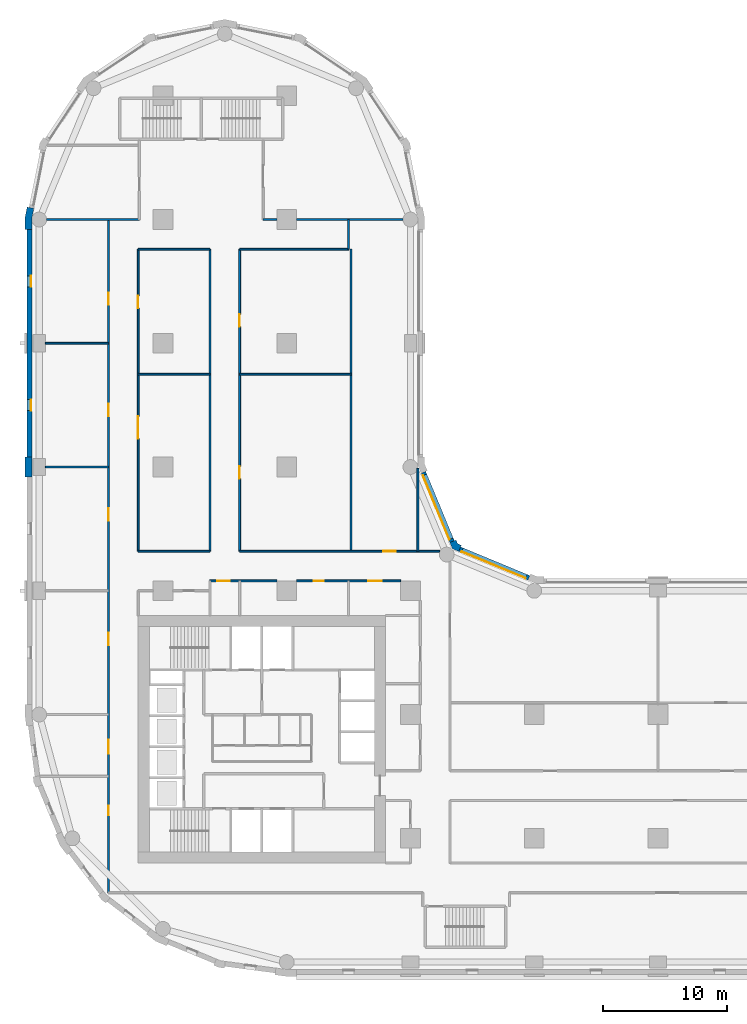
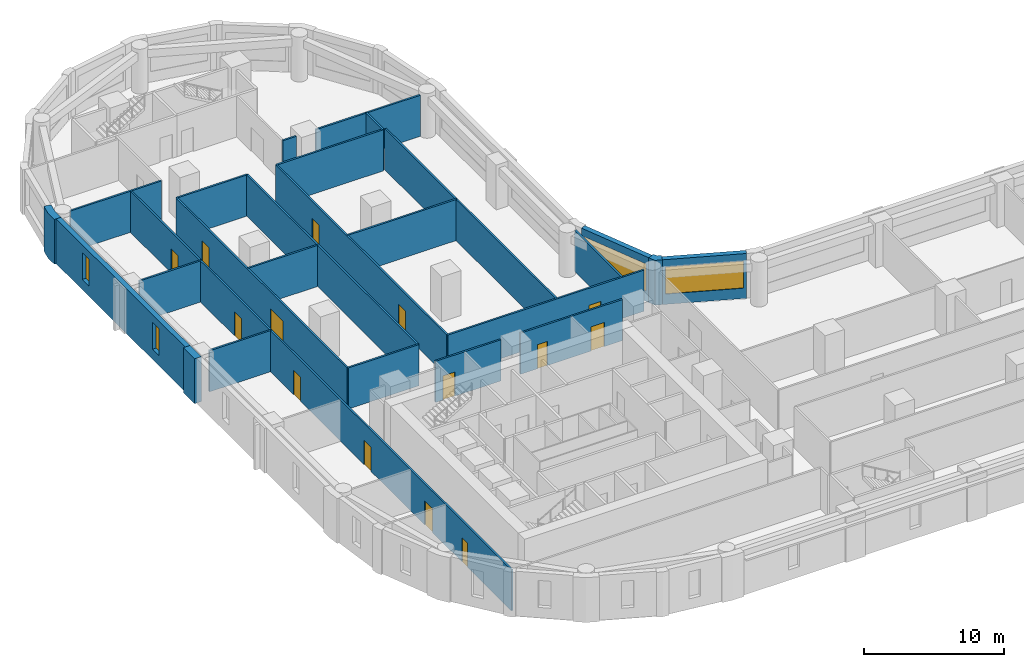
# One storey, part 5 of 10: 26 walls, 14 doors, 4 windows, 18 openings.
"""IFC4 building model written with IfcOpenShell, lengths in metres."""

import ifcopenshell
import ifcopenshell.guid

model = None  # the IFC model being written
_history = None  # IfcOwnerHistory: only IFC2X3 demands one
_inside = {}  # id of a spatial element -> (the spatial element, [elements in it])
_under = {}  # id of a project, library or spatial element -> (it, [spatial elements below it])
_declared = {}  # id of a project -> (the project, [libraries it declares])
_typed = {}  # id of a type object -> (the type object, [elements of that type])
_made_of = {}  # id of a material, layer set ... -> (it, [elements and type objects made of it])


def new_model(schema):
    """Start an empty IFC model of exactly this schema.

    Asked for "IFC4X3", IfcOpenShell would pick the latest addendum, in which some entities
    have other attributes; the version numbers below select the first issue.
    IFC2X3 requires an IfcOwnerHistory on every rooted entity: one is made here for all.
    """
    global model, _history
    if schema == "IFC4X3":
        model = ifcopenshell.file(schema_version=(4, 3, 0, 0))
    else:
        model = ifcopenshell.file(schema=schema)
    _inside.clear()
    _under.clear()
    _declared.clear()
    _typed.clear()
    _made_of.clear()
    _history = None
    if model.schema == "IFC2X3":
        org = make("IfcOrganization", Name="unknown")
        user = make(
            "IfcPersonAndOrganization",
            ThePerson=make("IfcPerson", FamilyName="unknown"),
            TheOrganization=org,
        )
        app = make(
            "IfcApplication",
            ApplicationDeveloper=org,
            Version="unknown",
            ApplicationFullName="unknown",
            ApplicationIdentifier="unknown",
        )
        _history = make(
            "IfcOwnerHistory",
            OwningUser=user,
            OwningApplication=app,
            ChangeAction="ADDED",
            CreationDate=0,
        )
    return model


def make(cls, **values):
    """One entity of the class cls with the attributes given. An attribute that is None is left unset."""
    return model.create_entity(
        cls, **{name: value for name, value in values.items() if value is not None}
    )


def rooted(cls, **values):
    """An entity with a GlobalId (a new one), such as an element, a storey or a relation."""
    return make(cls, GlobalId=ifcopenshell.guid.new(), OwnerHistory=_history, **values)


def si_unit(unit_type, name, prefix=None):
    """IfcSIUnit, for example si_unit("LENGTHUNIT", "METRE", prefix="MILLI")."""
    return make("IfcSIUnit", UnitType=unit_type, Prefix=prefix, Name=name)


def assignment(units):
    """IfcUnitAssignment: the units of a project."""
    return None if units is None else make("IfcUnitAssignment", Units=units)


def point(xyz):
    """IfcCartesianPoint."""
    return None if xyz is None else make("IfcCartesianPoint", Coordinates=xyz)


def direction(xyz):
    """IfcDirection."""
    return None if xyz is None else make("IfcDirection", DirectionRatios=xyz)


def frame(location, z_axis=None, x_axis=None):
    """IfcAxis2Placement3D, a coordinate frame: its origin and axes. An axis left out is left unset."""
    return make(
        "IfcAxis2Placement3D",
        Location=point(location),
        Axis=direction(z_axis),
        RefDirection=direction(x_axis),
    )


def frame_2d(location, x_axis=None):
    """IfcAxis2Placement2D, a coordinate frame in the plane: its origin and x axis."""
    return make(
        "IfcAxis2Placement2D", Location=point(location), RefDirection=direction(x_axis)
    )


def origin():
    """The frame at (0, 0, 0) with its axes left unset."""
    return frame((0.0, 0.0, 0.0))


def place(relative_to, where):
    """IfcLocalPlacement: puts the frame where relative to a parent placement (None: the world)."""
    return make(
        "IfcLocalPlacement", PlacementRelTo=relative_to, RelativePlacement=where
    )


def context(
    kind, dimensions, precision=None, world=None, true_north=None, identifier=None
):
    """IfcGeometricRepresentationContext, for example the 3D "Model" context."""
    return make(
        "IfcGeometricRepresentationContext",
        ContextIdentifier=identifier,
        ContextType=kind,
        CoordinateSpaceDimension=dimensions,
        Precision=precision,
        WorldCoordinateSystem=world,
        TrueNorth=true_north,
    )


def subcontext(parent, identifier, kind, view, scale=None):
    """IfcGeometricRepresentationSubContext, for example "Body" below "Model"."""
    return make(
        "IfcGeometricRepresentationSubContext",
        ContextIdentifier=identifier,
        ContextType=kind,
        ParentContext=parent,
        TargetScale=scale,
        TargetView=view,
    )


def project(units=None, contexts=None):
    """IfcProject with its units and contexts."""
    return rooted(
        "IfcProject",
        Name="project",
        RepresentationContexts=contexts,
        UnitsInContext=assignment(units),
    )


def spatial(cls, under=None, at=None, **own):
    """A site, building, storey or space (cls), placed at a placement, below another one or the project."""
    s = rooted(cls, ObjectPlacement=at, **own)
    if under is not None:
        _under.setdefault(under.id(), (under, []))[1].append(s)
    return s


def polyline(points):
    """IfcPolyline through the points."""
    return make("IfcPolyline", Points=[point(p) for p in points])


def profile(cls, at=None, kind="AREA", **sizes):
    """A parametric profile (cls). Its sizes go by their IFC names, for example OverallWidth=200.0."""
    return make(cls, ProfileType=kind, Position=at, **sizes)


def rectangle(**sizes):
    """IfcRectangleProfileDef."""
    return profile("IfcRectangleProfileDef", **sizes)


def outline(outer, holes=None, kind="AREA"):
    """IfcArbitraryClosedProfileDef: a profile drawn as a closed curve; with holes, ...WithVoids."""
    if holes is None:
        return make("IfcArbitraryClosedProfileDef", ProfileType=kind, OuterCurve=outer)
    return make(
        "IfcArbitraryProfileDefWithVoids",
        ProfileType=kind,
        OuterCurve=outer,
        InnerCurves=holes,
    )


def extrude(swept, where, along, depth):
    """IfcExtrudedAreaSolid: the profile swept, set in the frame where, extruded along a direction by depth."""
    return make(
        "IfcExtrudedAreaSolid",
        SweptArea=swept,
        Position=where,
        ExtrudedDirection=direction(along),
        Depth=depth,
    )


def shape(context_of_items, identifier, shape_type, items):
    """IfcShapeRepresentation: the items that make up one representation, for example the "Body"."""
    return make(
        "IfcShapeRepresentation",
        ContextOfItems=context_of_items,
        RepresentationIdentifier=identifier,
        RepresentationType=shape_type,
        Items=items,
    )


def material(Name=None, Category=None):
    """IfcMaterial."""
    return make("IfcMaterial", Name=Name, Category=Category)


def layer(
    of_material, thickness, ventilated=None, Name=None, Category=None, Priority=None
):
    """IfcMaterialLayer: one layer of a wall or slab, of a material (None: an air gap)."""
    return make(
        "IfcMaterialLayer",
        Material=of_material,
        LayerThickness=thickness,
        IsVentilated=ventilated,
        Name=Name,
        Category=Category,
        Priority=Priority,
    )


def layer_set(layers, Name=None):
    """IfcMaterialLayerSet."""
    return make("IfcMaterialLayerSet", MaterialLayers=layers, LayerSetName=Name)


def made_of(thing, what):
    """Note that an element or type object is made of a material, layer set ...; save() writes the relation."""
    if what is not None:
        _made_of.setdefault(what.id(), (what, []))[1].append(thing)
    return thing


def type_object(cls, material=None, **own):
    """A type object (cls), such as IfcWallType, which elements share."""
    return made_of(rooted(cls, **own), material)


def element(
    cls,
    number,
    at=None,
    inside=None,
    cuts=None,
    type_object=None,
    material=None,
    context=None,
    identifier="Body",
    shape_type=None,
    held_by="IfcProductDefinitionShape",
    body=None,
    shapes=None,
    **own,
):
    """One element of the class cls, such as IfcWall. Its Tag is "e" and its number.

    at: its placement. inside: the storey or other place that contains it. cuts: it is an
    opening in that element (IfcRelVoidsElement). A single representation is given by context,
    identifier, shape_type and body (its items); several are given by shapes. held_by: the class
    of the entity that holds the representations. save() writes the other relations.
    """
    e = rooted(cls, Tag="e%d" % number, ObjectPlacement=at, **own)
    if body is not None:
        shapes = [shape(context, identifier, shape_type, body)]
    if shapes is not None:
        e.Representation = make(held_by, Representations=shapes)
    if inside is not None:
        _inside.setdefault(inside.id(), (inside, []))[1].append(e)
    if cuts is not None:
        rooted(
            "IfcRelVoidsElement", RelatingBuildingElement=cuts, RelatedOpeningElement=e
        )
    if type_object is not None:
        _typed.setdefault(type_object.id(), (type_object, []))[1].append(e)
    return made_of(e, material)


def fill(opening, filler):
    """IfcRelFillsElement: the door or window that sits in an opening."""
    return rooted(
        "IfcRelFillsElement",
        RelatingOpeningElement=opening,
        RelatedBuildingElement=filler,
    )


def aggregate(whole, parts):
    """IfcRelAggregates: a whole, such as a stair, and the parts it consists of."""
    return rooted("IfcRelAggregates", RelatingObject=whole, RelatedObjects=parts)


def save(model, path):
    """Write the relations noted so far, then the file.

    IfcRelAggregates (storeys below a building ...), IfcRelContainedInSpatialStructure (elements
    in a storey), IfcRelDefinesByType, IfcRelAssociatesMaterial and IfcRelDeclares: one each for
    every whole, place, type object, material and project.
    """
    for whole, parts in _under.values():
        aggregate(whole, parts)
    for where, things in _inside.values():
        rooted(
            "IfcRelContainedInSpatialStructure",
            RelatedElements=things,
            RelatingStructure=where,
        )
    for kind, things in _typed.values():
        rooted("IfcRelDefinesByType", RelatedObjects=things, RelatingType=kind)
    for what, things in _made_of.values():
        rooted("IfcRelAssociatesMaterial", RelatedObjects=things, RelatingMaterial=what)
    for by, libraries in _declared.values():
        rooted("IfcRelDeclares", RelatingContext=by, RelatedDefinitions=libraries)
    model.write(path)


model = new_model("IFC4")

# Units and contexts
model_context = context("Model", 3, precision=1e-05, world=origin(), true_north=direction((0.0, 1.0)))
body_context = subcontext(model_context, "Body", "Model", "MODEL_VIEW")
ifc_project = project(units=[si_unit("LENGTHUNIT", "METRE"), si_unit("AREAUNIT", "SQUARE_METRE"), si_unit("VOLUMEUNIT", "CUBIC_METRE"), si_unit("PLANEANGLEUNIT", "RADIAN"), si_unit("MASSUNIT", "GRAM", prefix="KILO")], contexts=[model_context])

# Site, building, storey
site_placement = place(None, origin())
site = spatial("IfcSite", under=ifc_project, at=site_placement, CompositionType="ELEMENT")
building_placement = place(site_placement, origin())
building = spatial("IfcBuilding", under=site, at=building_placement, Name="Qaws Garden Tower", CompositionType="ELEMENT")
storey_placement = place(building_placement, frame((0.0, 0.0, 15.89990234375)))
storey = spatial("IfcBuildingStorey", under=building, at=storey_placement, Name="L03", CompositionType="ELEMENT", Elevation=15.89990234375)

# Wall, opening, window
ifc_material_1 = material(Name="Clay facing brick masonry", Category="masonry")
ifc_layer_1 = layer(ifc_material_1, 0.39990234375)
ifc_layer_set_1 = layer_set([ifc_layer_1], Name="Clay facing brick masonry")
wall_type_1 = type_object("IfcWallType", Name="Brick infill wall 400", PredefinedType="SOLIDWALL", material=ifc_layer_set_1)
wall_1_placement = place(storey_placement, frame((39.56689453125, 31.04541015625, 0.0), z_axis=(0.0, 0.0, 1.0), x_axis=(-0.923891000409, 0.382655745237, 0.0)))
wall_1 = element("IfcWall", 1, at=wall_1_placement, inside=storey, type_object=wall_type_1, Name="E-L03-infill-11", PredefinedType="SOLIDWALL", context=body_context, shape_type="SweptSolid", body=[
    extrude(rectangle(XDim=6.053466796875, YDim=0.39990234375, at=frame_2d((3.02685546875, 0.0))), origin(), (0.0, 0.0, 1.0), 3.900146484375),
])
opening_1_placement = place(wall_1_placement, frame((0.226806640625, 0.0, 0.89990234375)))
opening_1 = element("IfcOpeningElement", 2, at=opening_1_placement, cuts=wall_1, Name="Opening W04", PredefinedType="OPENING", context=body_context, shape_type="SweptSolid", body=[
    extrude(rectangle(XDim=5.60009765625, YDim=2.35009765625, at=frame_2d((2.800048828125, 1.175048828125))), frame((0.0, 0.2099609375, 0.0), z_axis=(0.0, -1.0, 0.0), x_axis=(1.0, 0.0, 0.0)), (0.0, 0.0, 1.0), 0.419921875),
])
ifc_material_2 = material(Name="Aluminium framed window, clear glazing", Category="aluminium")
window_type_1 = type_object("IfcWindowType", Name="Ribbon window 5600 x 2350", PartitioningType="DOUBLE_PANEL_VERTICAL", PredefinedType="WINDOW", material=ifc_material_2)
window_1_placement = place(opening_1_placement, origin())
window_1 = element("IfcWindow", 3, at=window_1_placement, inside=storey, type_object=window_type_1, Name="E-L03-window-11-0", OverallHeight=2.35009765625, OverallWidth=5.60009765625, PartitioningType="SINGLE_PANEL", PredefinedType="WINDOW", context=body_context, shape_type="SweptSolid", body=[
    extrude(rectangle(XDim=5.60009765625, YDim=2.35009765625, at=frame_2d((2.800048828125, 1.175048828125))), frame((0.0, 0.159912109375, 0.0), z_axis=(0.0, -1.0, 0.0), x_axis=(1.0, 0.0, 0.0)), (0.0, 0.0, 1.0), 0.06005859375),
])
fill(opening_1, window_1)

wall_2_placement = place(storey_placement, frame((33.36181640625, 33.97412109375, 0.0), z_axis=(0.0, 0.0, 1.0), x_axis=(-0.382655745237, 0.923891000409, 0.0)))
wall_2 = element("IfcWall", 4, at=wall_2_placement, inside=storey, type_object=wall_type_1, Name="E-L03-infill-12", PredefinedType="SOLIDWALL", context=body_context, shape_type="SweptSolid", body=[
    extrude(rectangle(XDim=6.053466796875, YDim=0.39990234375, at=frame_2d((3.02685546875, 0.0))), origin(), (0.0, 0.0, 1.0), 3.900146484375),
])
opening_2_placement = place(wall_2_placement, frame((0.226806640625, 0.0, 0.89990234375)))
opening_2 = element("IfcOpeningElement", 5, at=opening_2_placement, cuts=wall_2, Name="Opening W04", PredefinedType="OPENING", context=body_context, shape_type="SweptSolid", body=[
    extrude(rectangle(XDim=5.60009765625, YDim=2.35009765625, at=frame_2d((2.800048828125, 1.175048828125))), frame((0.0, 0.2099609375, 0.0), z_axis=(0.0, -1.0, 0.0), x_axis=(1.0, 0.0, 0.0)), (0.0, 0.0, 1.0), 0.419921875),
])
window_2_placement = place(opening_2_placement, origin())
window_2 = element("IfcWindow", 6, at=window_2_placement, inside=storey, type_object=window_type_1, Name="E-L03-window-12-0", OverallHeight=2.35009765625, OverallWidth=5.60009765625, PartitioningType="SINGLE_PANEL", PredefinedType="WINDOW", context=body_context, shape_type="SweptSolid", body=[
    extrude(rectangle(XDim=5.60009765625, YDim=2.35009765625, at=frame_2d((2.800048828125, 1.175048828125))), frame((0.0, 0.159912109375, 0.0), z_axis=(0.0, -1.0, 0.0), x_axis=(1.0, 0.0, 0.0)), (0.0, 0.0, 1.0), 0.06005859375),
])
fill(opening_2, window_2)

# Wall, openings, windows
wall_3_placement = place(storey_placement, frame((-0.800048828125, 59.199951171875, 0.0), z_axis=(0.0, 0.0, 1.0), x_axis=(0.0, -1.0, 0.0)))
wall_3 = element("IfcWall", 7, at=wall_3_placement, inside=storey, type_object=wall_type_1, Name="E-L03-infill-23", PredefinedType="SOLIDWALL", context=body_context, shape_type="SweptSolid", body=[
    extrude(rectangle(XDim=18.39990234375, YDim=0.39990234375, at=frame_2d((9.199951171875, 0.0))), origin(), (0.0, 0.0, 1.0), 3.900146484375),
])
opening_3_placement = place(wall_3_placement, frame((3.75, 0.0, 0.89990234375)))
opening_3 = element("IfcOpeningElement", 8, at=opening_3_placement, cuts=wall_3, Name="Opening W09", PredefinedType="OPENING", context=body_context, shape_type="SweptSolid", body=[
    extrude(rectangle(XDim=0.89990234375, YDim=2.35009765625, at=frame_2d((0.449951171875, 1.175048828125))), frame((0.0, 0.2099609375, 0.0), z_axis=(0.0, -1.0, 0.0), x_axis=(1.0, 0.0, 0.0)), (0.0, 0.0, 1.0), 0.419921875),
])
opening_4_placement = place(wall_3_placement, frame((13.75, 0.0, 0.89990234375)))
opening_4 = element("IfcOpeningElement", 9, at=opening_4_placement, cuts=wall_3, Name="Opening W09", PredefinedType="OPENING", context=body_context, shape_type="SweptSolid", body=[
    extrude(rectangle(XDim=0.89990234375, YDim=2.35009765625, at=frame_2d((0.449951171875, 1.175048828125))), frame((0.0, 0.2099609375, 0.0), z_axis=(0.0, -1.0, 0.0), x_axis=(1.0, 0.0, 0.0)), (0.0, 0.0, 1.0), 0.419921875),
])
ifc_material_3 = material(Name="Aluminium framed window, clear glazing", Category="aluminium")
window_type_2 = type_object("IfcWindowType", Name="Slit window 900 x 2350", PartitioningType="SINGLE_PANEL", PredefinedType="WINDOW", material=ifc_material_3)
window_3_placement = place(opening_3_placement, origin())
window_3 = element("IfcWindow", 10, at=window_3_placement, inside=storey, type_object=window_type_2, Name="E-L03-window-23-0", OverallHeight=2.35009765625, OverallWidth=0.89990234375, PartitioningType="SINGLE_PANEL", PredefinedType="WINDOW", context=body_context, shape_type="SweptSolid", body=[
    extrude(rectangle(XDim=0.89990234375, YDim=2.35009765625, at=frame_2d((0.449951171875, 1.175048828125))), frame((0.0, 0.159912109375, 0.0), z_axis=(0.0, -1.0, 0.0), x_axis=(1.0, 0.0, 0.0)), (0.0, 0.0, 1.0), 0.06005859375),
])
fill(opening_3, window_3)
window_4_placement = place(opening_4_placement, origin())
window_4 = element("IfcWindow", 11, at=window_4_placement, inside=storey, type_object=window_type_2, Name="E-L03-window-24-0", OverallHeight=2.35009765625, OverallWidth=0.89990234375, PartitioningType="SINGLE_PANEL", PredefinedType="WINDOW", context=body_context, shape_type="SweptSolid", body=[
    extrude(rectangle(XDim=0.89990234375, YDim=2.35009765625, at=frame_2d((0.449951171875, 1.175048828125))), frame((0.0, 0.159912109375, 0.0), z_axis=(0.0, -1.0, 0.0), x_axis=(1.0, 0.0, 0.0)), (0.0, 0.0, 1.0), 0.06005859375),
])
fill(opening_4, window_4)

# Walls
ifc_material_4 = material(Name="Clay facing brick masonry", Category="masonry")
ifc_layer_2 = layer(ifc_material_4, 0.550048828125)
ifc_layer_set_2 = layer_set([ifc_layer_2], Name="Clay facing brick masonry")
wall_type_2 = type_object("IfcWallType", Name="Brick pier 550 x 1600", PredefinedType="SOLIDWALL", material=ifc_layer_set_2)
placement = place(storey_placement, origin())
element("IfcWall", 12, at=placement, inside=storey, type_object=wall_type_2, Name="E-L03-pier-12", PredefinedType="SOLIDWALL", context=body_context, shape_type="SweptSolid", body=[
    extrude(outline(polyline([(34.05078125, 33.546630859375), (34.108154296875, 33.685302734375), (33.80908203125, 33.80908203125), (33.685302734375, 34.108154296875), (33.546630859375, 34.05078125), (33.177001953125, 33.897705078125), (33.38818359375, 33.38818359375), (33.897705078125, 33.177001953125), (34.05078125, 33.546630859375)])), origin(), (0.0, 0.0, 1.0), 3.900146484375),
])
element("IfcWall", 13, at=placement, inside=storey, type_object=wall_type_2, Name="E-L03-pier-23", PredefinedType="SOLIDWALL", context=body_context, shape_type="SweptSolid", body=[
    extrude(outline(polyline([(-0.82470703125, 60.979736328125), (-0.971923828125, 61.009033203125), (-1.14990234375, 60.11328125), (-1.14990234375, 59.199951171875), (-1.0, 59.199951171875), (-0.60009765625, 59.199951171875), (-0.60009765625, 60.05908203125), (-0.432373046875, 60.901611328125), (-0.82470703125, 60.979736328125)])), origin(), (0.0, 0.0, 1.0), 3.900146484375),
])
element("IfcWall", 14, at=placement, inside=storey, type_object=wall_type_2, Name="E-L03-pier-25", PredefinedType="SOLIDWALL", context=body_context, shape_type="SweptSolid", body=[
    extrude(outline(polyline([(-1.0, 40.800048828125), (-1.14990234375, 40.800048828125), (-1.14990234375, 40.0), (-1.14990234375, 39.199951171875), (-1.0, 39.199951171875), (-0.60009765625, 39.199951171875), (-0.60009765625, 40.0), (-0.60009765625, 40.800048828125), (-1.0, 40.800048828125)])), origin(), (0.0, 0.0, 1.0), 3.900146484375),
])

# Wall, openings, doors
ifc_material_5 = material(Name="Gypsum board partition")
ifc_layer_3 = layer(ifc_material_5, 0.14990234375)
ifc_layer_set_3 = layer_set([ifc_layer_3], Name="Gypsum board partition")
wall_type_3 = type_object("IfcWallType", Name="PARTITION 150 EI 60", PredefinedType="PARTITIONING", material=ifc_layer_set_3)
wall_7_placement = place(storey_placement, frame((5.60009765625, 5.60009765625, 0.0), z_axis=(0.0, 0.0, 1.0), x_axis=(0.0, 1.0, 0.0)))
wall_7 = element("IfcWall", 15, at=wall_7_placement, inside=storey, type_object=wall_type_3, Name="O-L03-wall-002", PredefinedType="PARTITIONING", context=body_context, shape_type="SweptSolid", body=[
    extrude(rectangle(XDim=54.39990234375, YDim=0.14990234375, at=frame_2d((27.199951171875, 0.0))), origin(), (0.0, 0.0, 1.0), 3.580078125),
])
opening_5_placement = place(wall_7_placement, frame((6.25, 0.0, 0.0)))
opening_5 = element("IfcOpeningElement", 16, at=opening_5_placement, cuts=wall_7, Name="Opening A101", PredefinedType="OPENING", context=body_context, shape_type="SweptSolid", body=[
    extrude(rectangle(XDim=0.800048828125, YDim=2.10009765625, at=frame_2d((0.39990234375, 1.050048828125))), frame((0.0, 0.0849609375, 0.0), z_axis=(0.0, -1.0, 0.0), x_axis=(1.0, 0.0, 0.0)), (0.0, 0.0, 1.0), 0.169921875),
])
opening_6_placement = place(wall_7_placement, frame((11.25, 0.0, 0.0)))
opening_6 = element("IfcOpeningElement", 17, at=opening_6_placement, cuts=wall_7, Name="Opening A102", PredefinedType="OPENING", context=body_context, shape_type="SweptSolid", body=[
    extrude(rectangle(XDim=1.10009765625, YDim=2.10009765625, at=frame_2d((0.550048828125, 1.050048828125))), frame((0.0, 0.0849609375, 0.0), z_axis=(0.0, -1.0, 0.0), x_axis=(1.0, 0.0, 0.0)), (0.0, 0.0, 1.0), 0.169921875),
])
opening_7_placement = place(wall_7_placement, frame((20.0, 0.0, 0.0)))
opening_7 = element("IfcOpeningElement", 18, at=opening_7_placement, cuts=wall_7, Name="Opening A112", PredefinedType="OPENING", context=body_context, shape_type="SweptSolid", body=[
    extrude(rectangle(XDim=1.0, YDim=2.10009765625, at=frame_2d((0.5, 1.050048828125))), frame((0.0, 0.0849609375, 0.0), z_axis=(0.0, -1.0, 0.0), x_axis=(1.0, 0.0, 0.0)), (0.0, 0.0, 1.0), 0.169921875),
])
opening_8_placement = place(wall_7_placement, frame((30.050048828125, 0.0, 0.0)))
opening_8 = element("IfcOpeningElement", 19, at=opening_8_placement, cuts=wall_7, Name="Opening A119", PredefinedType="OPENING", context=body_context, shape_type="SweptSolid", body=[
    extrude(rectangle(XDim=1.0, YDim=2.10009765625, at=frame_2d((0.5, 1.050048828125))), frame((0.0, 0.0849609375, 0.0), z_axis=(0.0, -1.0, 0.0), x_axis=(1.0, 0.0, 0.0)), (0.0, 0.0, 1.0), 0.169921875),
])
opening_9_placement = place(wall_7_placement, frame((38.5, 0.0, 0.0)))
opening_9 = element("IfcOpeningElement", 20, at=opening_9_placement, cuts=wall_7, Name="Opening A120", PredefinedType="OPENING", context=body_context, shape_type="SweptSolid", body=[
    extrude(rectangle(XDim=1.0, YDim=2.10009765625, at=frame_2d((0.5, 1.050048828125))), frame((0.0, 0.0849609375, 0.0), z_axis=(0.0, -1.0, 0.0), x_axis=(1.0, 0.0, 0.0)), (0.0, 0.0, 1.0), 0.169921875),
])
opening_10_placement = place(wall_7_placement, frame((47.5, 0.0, 0.0)))
opening_10 = element("IfcOpeningElement", 21, at=opening_10_placement, cuts=wall_7, Name="Opening A121", PredefinedType="OPENING", context=body_context, shape_type="SweptSolid", body=[
    extrude(rectangle(XDim=1.0, YDim=2.10009765625, at=frame_2d((0.5, 1.050048828125))), frame((0.0, 0.0849609375, 0.0), z_axis=(0.0, -1.0, 0.0), x_axis=(1.0, 0.0, 0.0)), (0.0, 0.0, 1.0), 0.169921875),
])
ifc_material_6 = material(Name="Timber door leaf", Category="wood")
door_type_1 = type_object("IfcDoorType", Name="SERVICE ROOM DOOR 1100 X 2100", OperationType="SINGLE_SWING_LEFT", PredefinedType="DOOR", material=ifc_material_6)
door_1_placement = place(opening_6_placement, origin())
door_1 = element("IfcDoor", 22, at=door_1_placement, inside=storey, type_object=door_type_1, Name="O-L03-door-002", OperationType="SINGLE_SWING_RIGHT", OverallHeight=2.10009765625, OverallWidth=1.10009765625, PredefinedType="DOOR", context=body_context, shape_type="SweptSolid", body=[
    extrude(rectangle(XDim=1.10009765625, YDim=2.10009765625, at=frame_2d((0.550048828125, 1.050048828125))), frame((0.0, 0.02490234375, 0.0), z_axis=(0.0, -1.0, 0.0), x_axis=(1.0, 0.0, 0.0)), (0.0, 0.0, 1.0), 0.050048828125),
])
fill(opening_6, door_1)
ifc_material_7 = material(Name="Timber door leaf", Category="wood")
door_type_2 = type_object("IfcDoorType", Name="STORE DOOR 800 X 2100", OperationType="SINGLE_SWING_LEFT", PredefinedType="DOOR", material=ifc_material_7)
door_2_placement = place(opening_5_placement, origin())
door_2 = element("IfcDoor", 23, at=door_2_placement, inside=storey, type_object=door_type_2, Name="O-L03-door-001", OperationType="SINGLE_SWING_RIGHT", OverallHeight=2.10009765625, OverallWidth=0.800048828125, PredefinedType="DOOR", context=body_context, shape_type="SweptSolid", body=[
    extrude(rectangle(XDim=0.800048828125, YDim=2.10009765625, at=frame_2d((0.39990234375, 1.050048828125))), frame((0.0, 0.02490234375, 0.0), z_axis=(0.0, -1.0, 0.0), x_axis=(1.0, 0.0, 0.0)), (0.0, 0.0, 1.0), 0.050048828125),
])
fill(opening_5, door_2)
ifc_material_8 = material(Name="Timber door leaf", Category="wood")
door_type_3 = type_object("IfcDoorType", Name="TENANCY ENTRANCE DOOR 1000 X 2100", OperationType="SINGLE_SWING_LEFT", PredefinedType="DOOR", material=ifc_material_8)
door_3_placement = place(opening_7_placement, origin())
door_3 = element("IfcDoor", 24, at=door_3_placement, inside=storey, type_object=door_type_3, Name="O-L03-door-012", OperationType="SINGLE_SWING_RIGHT", OverallHeight=2.10009765625, OverallWidth=1.0, PredefinedType="DOOR", context=body_context, shape_type="SweptSolid", body=[
    extrude(rectangle(XDim=1.0, YDim=2.10009765625, at=frame_2d((0.5, 1.050048828125))), frame((0.0, 0.02490234375, 0.0), z_axis=(0.0, -1.0, 0.0), x_axis=(1.0, 0.0, 0.0)), (0.0, 0.0, 1.0), 0.050048828125),
])
fill(opening_7, door_3)
door_4_placement = place(opening_8_placement, origin())
door_4 = element("IfcDoor", 25, at=door_4_placement, inside=storey, type_object=door_type_3, Name="O-L03-door-019", OperationType="SINGLE_SWING_LEFT", OverallHeight=2.10009765625, OverallWidth=1.0, PredefinedType="DOOR", context=body_context, shape_type="SweptSolid", body=[
    extrude(rectangle(XDim=1.0, YDim=2.10009765625, at=frame_2d((0.5, 1.050048828125))), frame((0.0, 0.02490234375, 0.0), z_axis=(0.0, -1.0, 0.0), x_axis=(1.0, 0.0, 0.0)), (0.0, 0.0, 1.0), 0.050048828125),
])
fill(opening_8, door_4)
door_5_placement = place(opening_9_placement, origin())
door_5 = element("IfcDoor", 26, at=door_5_placement, inside=storey, type_object=door_type_3, Name="O-L03-door-020", OperationType="SINGLE_SWING_LEFT", OverallHeight=2.10009765625, OverallWidth=1.0, PredefinedType="DOOR", context=body_context, shape_type="SweptSolid", body=[
    extrude(rectangle(XDim=1.0, YDim=2.10009765625, at=frame_2d((0.5, 1.050048828125))), frame((0.0, 0.02490234375, 0.0), z_axis=(0.0, -1.0, 0.0), x_axis=(1.0, 0.0, 0.0)), (0.0, 0.0, 1.0), 0.050048828125),
])
fill(opening_9, door_5)
door_6_placement = place(opening_10_placement, origin())
door_6 = element("IfcDoor", 27, at=door_6_placement, inside=storey, type_object=door_type_3, Name="O-L03-door-021", OperationType="SINGLE_SWING_LEFT", OverallHeight=2.10009765625, OverallWidth=1.0, PredefinedType="DOOR", context=body_context, shape_type="SweptSolid", body=[
    extrude(rectangle(XDim=1.0, YDim=2.10009765625, at=frame_2d((0.5, 1.050048828125))), frame((0.0, 0.02490234375, 0.0), z_axis=(0.0, -1.0, 0.0), x_axis=(1.0, 0.0, 0.0)), (0.0, 0.0, 1.0), 0.050048828125),
])
fill(opening_10, door_6)

wall_8_placement = place(storey_placement, frame((8.0, 33.199951171875, 0.0), z_axis=(0.0, 0.0, 1.0), x_axis=(0.0, 1.0, 0.0)))
wall_8 = element("IfcWall", 28, at=wall_8_placement, inside=storey, type_object=wall_type_3, Name="O-L03-wall-004", PredefinedType="PARTITIONING", context=body_context, shape_type="SweptSolid", body=[
    extrude(rectangle(XDim=24.400146484375, YDim=0.14990234375, at=frame_2d((12.2001953125, 0.0))), origin(), (0.0, 0.0, 1.0), 3.580078125),
])
opening_11_placement = place(wall_8_placement, frame((9.10009765625, 0.0, 0.0)))
opening_11 = element("IfcOpeningElement", 29, at=opening_11_placement, cuts=wall_8, Name="Opening A110", PredefinedType="OPENING", context=body_context, shape_type="SweptSolid", body=[
    extrude(rectangle(XDim=1.800048828125, YDim=2.10009765625, at=frame_2d((0.89990234375, 1.050048828125))), frame((0.0, 0.0849609375, 0.0), z_axis=(0.0, -1.0, 0.0), x_axis=(1.0, 0.0, 0.0)), (0.0, 0.0, 1.0), 0.169921875),
])
opening_12_placement = place(wall_8_placement, frame((19.64990234375, 0.0, 0.0)))
opening_12 = element("IfcOpeningElement", 30, at=opening_12_placement, cuts=wall_8, Name="Opening A111", PredefinedType="OPENING", context=body_context, shape_type="SweptSolid", body=[
    extrude(rectangle(XDim=1.0, YDim=2.10009765625, at=frame_2d((0.5, 1.050048828125))), frame((0.0, 0.0849609375, 0.0), z_axis=(0.0, -1.0, 0.0), x_axis=(1.0, 0.0, 0.0)), (0.0, 0.0, 1.0), 0.169921875),
])
ifc_material_9 = material(Name="Timber door leaf", Category="wood")
door_type_4 = type_object("IfcDoorType", Name="DOUBLE DOOR 1800 X 2100", OperationType="DOUBLE_DOOR_SINGLE_SWING", PredefinedType="DOOR", material=ifc_material_9)
door_7_placement = place(opening_11_placement, frame((1.800048828125, 0.0, 0.0), z_axis=(0.0, 0.0, 1.0), x_axis=(-1.0, 0.0, 0.0)))
door_7 = element("IfcDoor", 31, at=door_7_placement, inside=storey, type_object=door_type_4, Name="O-L03-door-010", OperationType="DOUBLE_DOOR_SINGLE_SWING", OverallHeight=2.10009765625, OverallWidth=1.800048828125, PredefinedType="DOOR", context=body_context, shape_type="SweptSolid", body=[
    extrude(rectangle(XDim=1.800048828125, YDim=2.10009765625, at=frame_2d((0.89990234375, 1.050048828125))), frame((0.0, 0.02490234375, 0.0), z_axis=(0.0, -1.0, 0.0), x_axis=(1.0, 0.0, 0.0)), (0.0, 0.0, 1.0), 0.050048828125),
])
fill(opening_11, door_7)
door_8_placement = place(opening_12_placement, frame((1.0, 0.0, 0.0), z_axis=(0.0, 0.0, 1.0), x_axis=(-1.0, 0.0, 0.0)))
door_8 = element("IfcDoor", 32, at=door_8_placement, inside=storey, type_object=door_type_3, Name="O-L03-door-011", OperationType="SINGLE_SWING_RIGHT", OverallHeight=2.10009765625, OverallWidth=1.0, PredefinedType="DOOR", context=body_context, shape_type="SweptSolid", body=[
    extrude(rectangle(XDim=1.0, YDim=2.10009765625, at=frame_2d((0.5, 1.050048828125))), frame((0.0, 0.02490234375, 0.0), z_axis=(0.0, -1.0, 0.0), x_axis=(1.0, 0.0, 0.0)), (0.0, 0.0, 1.0), 0.050048828125),
])
fill(opening_12, door_8)

# Wall
wall_9_placement = place(storey_placement, frame((13.800048828125, 33.199951171875, 0.0), z_axis=(0.0, 0.0, 1.0), x_axis=(0.0, 1.0, 0.0)))
element("IfcWall", 33, at=wall_9_placement, inside=storey, type_object=wall_type_3, Name="O-L03-wall-007", PredefinedType="PARTITIONING", context=body_context, shape_type="SweptSolid", body=[
    extrude(rectangle(XDim=24.400146484375, YDim=0.14990234375, at=frame_2d((12.2001953125, 0.0))), origin(), (0.0, 0.0, 1.0), 3.580078125),
])

# Wall, openings, doors
wall_10_placement = place(storey_placement, frame((16.199951171875, 33.199951171875, 0.0), z_axis=(0.0, 0.0, 1.0), x_axis=(0.0, 1.0, 0.0)))
wall_10 = element("IfcWall", 34, at=wall_10_placement, inside=storey, type_object=wall_type_3, Name="O-L03-wall-009", PredefinedType="PARTITIONING", context=body_context, shape_type="SweptSolid", body=[
    extrude(rectangle(XDim=24.400146484375, YDim=0.14990234375, at=frame_2d((12.2001953125, 0.0))), origin(), (0.0, 0.0, 1.0), 3.580078125),
])
opening_13_placement = place(wall_10_placement, frame((5.85009765625, 0.0, 0.0)))
opening_13 = element("IfcOpeningElement", 35, at=opening_13_placement, cuts=wall_10, Name="Opening A113", PredefinedType="OPENING", context=body_context, shape_type="SweptSolid", body=[
    extrude(rectangle(XDim=1.0, YDim=2.10009765625, at=frame_2d((0.5, 1.050048828125))), frame((0.0, 0.0849609375, 0.0), z_axis=(0.0, -1.0, 0.0), x_axis=(1.0, 0.0, 0.0)), (0.0, 0.0, 1.0), 0.169921875),
])
opening_14_placement = place(wall_10_placement, frame((18.14990234375, 0.0, 0.0)))
opening_14 = element("IfcOpeningElement", 36, at=opening_14_placement, cuts=wall_10, Name="Opening A114", PredefinedType="OPENING", context=body_context, shape_type="SweptSolid", body=[
    extrude(rectangle(XDim=1.0, YDim=2.10009765625, at=frame_2d((0.5, 1.050048828125))), frame((0.0, 0.0849609375, 0.0), z_axis=(0.0, -1.0, 0.0), x_axis=(1.0, 0.0, 0.0)), (0.0, 0.0, 1.0), 0.169921875),
])
door_9_placement = place(opening_13_placement, frame((1.0, 0.0, 0.0), z_axis=(0.0, 0.0, 1.0), x_axis=(-1.0, 0.0, 0.0)))
door_9 = element("IfcDoor", 37, at=door_9_placement, inside=storey, type_object=door_type_3, Name="O-L03-door-013", OperationType="SINGLE_SWING_RIGHT", OverallHeight=2.10009765625, OverallWidth=1.0, PredefinedType="DOOR", context=body_context, shape_type="SweptSolid", body=[
    extrude(rectangle(XDim=1.0, YDim=2.10009765625, at=frame_2d((0.5, 1.050048828125))), frame((0.0, 0.02490234375, 0.0), z_axis=(0.0, -1.0, 0.0), x_axis=(1.0, 0.0, 0.0)), (0.0, 0.0, 1.0), 0.050048828125),
])
fill(opening_13, door_9)
door_10_placement = place(opening_14_placement, frame((1.0, 0.0, 0.0), z_axis=(0.0, 0.0, 1.0), x_axis=(-1.0, 0.0, 0.0)))
door_10 = element("IfcDoor", 38, at=door_10_placement, inside=storey, type_object=door_type_3, Name="O-L03-door-014", OperationType="SINGLE_SWING_RIGHT", OverallHeight=2.10009765625, OverallWidth=1.0, PredefinedType="DOOR", context=body_context, shape_type="SweptSolid", body=[
    extrude(rectangle(XDim=1.0, YDim=2.10009765625, at=frame_2d((0.5, 1.050048828125))), frame((0.0, 0.02490234375, 0.0), z_axis=(0.0, -1.0, 0.0), x_axis=(1.0, 0.0, 0.0)), (0.0, 0.0, 1.0), 0.050048828125),
])
fill(opening_14, door_10)

# Walls
wall_11_placement = place(storey_placement, frame((25.0, 57.60009765625, 0.0), z_axis=(0.0, 0.0, 1.0), x_axis=(0.0, 1.0, 0.0)))
element("IfcWall", 39, at=wall_11_placement, inside=storey, type_object=wall_type_3, Name="O-L03-wall-012", PredefinedType="PARTITIONING", context=body_context, shape_type="SweptSolid", body=[
    extrude(rectangle(XDim=2.39990234375, YDim=0.14990234375, at=frame_2d((1.199951171875, 0.0))), origin(), (0.0, 0.0, 1.0), 3.580078125),
])
wall_12_placement = place(storey_placement, frame((25.199951171875, 33.199951171875, 0.0), z_axis=(0.0, 0.0, 1.0), x_axis=(0.0, 1.0, 0.0)))
element("IfcWall", 40, at=wall_12_placement, inside=storey, type_object=wall_type_3, Name="O-L03-wall-013", PredefinedType="PARTITIONING", context=body_context, shape_type="SweptSolid", body=[
    extrude(rectangle(XDim=24.400146484375, YDim=0.14990234375, at=frame_2d((12.2001953125, 0.0))), origin(), (0.0, 0.0, 1.0), 3.580078125),
])
wall_13_placement = place(storey_placement, frame((30.60009765625, 33.199951171875, 0.0), z_axis=(0.0, 0.0, 1.0), x_axis=(0.0, 1.0, 0.0)))
element("IfcWall", 41, at=wall_13_placement, inside=storey, type_object=wall_type_3, Name="O-L03-wall-016", PredefinedType="PARTITIONING", context=body_context, shape_type="SweptSolid", body=[
    extrude(rectangle(XDim=6.698974609375, YDim=0.14990234375, at=frame_2d((3.349609375, 0.0))), origin(), (0.0, 0.0, 1.0), 3.580078125),
])

# Wall, opening, door
wall_14_placement = place(storey_placement, frame((13.800048828125, 30.800048828125, 0.0), z_axis=(0.0, 0.0, 1.0), x_axis=(1.0, 0.0, 0.0)))
wall_14 = element("IfcWall", 42, at=wall_14_placement, inside=storey, type_object=wall_type_3, Name="O-L03-wall-045", PredefinedType="PARTITIONING", context=body_context, shape_type="SweptSolid", body=[
    extrude(rectangle(XDim=5.39990234375, YDim=0.14990234375, at=frame_2d((2.699951171875, 0.0))), origin(), (0.0, 0.0, 1.0), 3.580078125),
])
opening_15_placement = place(wall_14_placement, frame((0.60009765625, 0.0, 0.0)))
opening_15 = element("IfcOpeningElement", 43, at=opening_15_placement, cuts=wall_14, Name="Opening A118", PredefinedType="OPENING", context=body_context, shape_type="SweptSolid", body=[
    extrude(rectangle(XDim=1.0, YDim=2.10009765625, at=frame_2d((0.5, 1.050048828125))), frame((0.0, 0.0849609375, 0.0), z_axis=(0.0, -1.0, 0.0), x_axis=(1.0, 0.0, 0.0)), (0.0, 0.0, 1.0), 0.169921875),
])
door_11_placement = place(opening_15_placement, frame((1.0, 0.0, 0.0), z_axis=(0.0, 0.0, 1.0), x_axis=(-1.0, 0.0, 0.0)))
door_11 = element("IfcDoor", 44, at=door_11_placement, inside=storey, type_object=door_type_3, Name="O-L03-door-018", OperationType="SINGLE_SWING_RIGHT", OverallHeight=2.10009765625, OverallWidth=1.0, PredefinedType="DOOR", context=body_context, shape_type="SweptSolid", body=[
    extrude(rectangle(XDim=1.0, YDim=2.10009765625, at=frame_2d((0.5, 1.050048828125))), frame((0.0, 0.02490234375, 0.0), z_axis=(0.0, -1.0, 0.0), x_axis=(1.0, 0.0, 0.0)), (0.0, 0.0, 1.0), 0.050048828125),
])
fill(opening_15, door_11)

# Wall, openings, doors
wall_15_placement = place(storey_placement, frame((20.800048828125, 30.800048828125, 0.0), z_axis=(0.0, 0.0, 1.0), x_axis=(1.0, 0.0, 0.0)))
wall_15 = element("IfcWall", 45, at=wall_15_placement, inside=storey, type_object=wall_type_3, Name="O-L03-wall-046", PredefinedType="PARTITIONING", context=body_context, shape_type="SweptSolid", body=[
    extrude(rectangle(XDim=8.39990234375, YDim=0.14990234375, at=frame_2d((4.199951171875, 0.0))), origin(), (0.0, 0.0, 1.0), 3.580078125),
])
opening_16_placement = place(wall_15_placement, frame((1.39990234375, 0.0, 0.0)))
opening_16 = element("IfcOpeningElement", 46, at=opening_16_placement, cuts=wall_15, Name="Opening A108", PredefinedType="OPENING", context=body_context, shape_type="SweptSolid", body=[
    extrude(rectangle(XDim=0.800048828125, YDim=2.10009765625, at=frame_2d((0.39990234375, 1.050048828125))), frame((0.0, 0.0849609375, 0.0), z_axis=(0.0, -1.0, 0.0), x_axis=(1.0, 0.0, 0.0)), (0.0, 0.0, 1.0), 0.169921875),
])
opening_17_placement = place(wall_15_placement, frame((5.800048828125, 0.0, 0.0)))
opening_17 = element("IfcOpeningElement", 47, at=opening_17_placement, cuts=wall_15, Name="Opening A109", PredefinedType="OPENING", context=body_context, shape_type="SweptSolid", body=[
    extrude(rectangle(XDim=1.10009765625, YDim=2.10009765625, at=frame_2d((0.550048828125, 1.050048828125))), frame((0.0, 0.0849609375, 0.0), z_axis=(0.0, -1.0, 0.0), x_axis=(1.0, 0.0, 0.0)), (0.0, 0.0, 1.0), 0.169921875),
])
door_12_placement = place(opening_17_placement, frame((1.10009765625, 0.0, 0.0), z_axis=(0.0, 0.0, 1.0), x_axis=(-1.0, 0.0, 0.0)))
door_12 = element("IfcDoor", 48, at=door_12_placement, inside=storey, type_object=door_type_1, Name="O-L03-door-009", OperationType="SINGLE_SWING_LEFT", OverallHeight=2.10009765625, OverallWidth=1.10009765625, PredefinedType="DOOR", context=body_context, shape_type="SweptSolid", body=[
    extrude(rectangle(XDim=1.10009765625, YDim=2.10009765625, at=frame_2d((0.550048828125, 1.050048828125))), frame((0.0, 0.02490234375, 0.0), z_axis=(0.0, -1.0, 0.0), x_axis=(1.0, 0.0, 0.0)), (0.0, 0.0, 1.0), 0.050048828125),
])
fill(opening_17, door_12)
door_13_placement = place(opening_16_placement, frame((0.800048828125, 0.0, 0.0), z_axis=(0.0, 0.0, 1.0), x_axis=(-1.0, 0.0, 0.0)))
door_13 = element("IfcDoor", 49, at=door_13_placement, inside=storey, type_object=door_type_2, Name="O-L03-door-008", OperationType="SINGLE_SWING_RIGHT", OverallHeight=2.10009765625, OverallWidth=0.800048828125, PredefinedType="DOOR", context=body_context, shape_type="SweptSolid", body=[
    extrude(rectangle(XDim=0.800048828125, YDim=2.10009765625, at=frame_2d((0.39990234375, 1.050048828125))), frame((0.0, 0.02490234375, 0.0), z_axis=(0.0, -1.0, 0.0), x_axis=(1.0, 0.0, 0.0)), (0.0, 0.0, 1.0), 0.050048828125),
])
fill(opening_16, door_13)

# Wall
wall_16_placement = place(storey_placement, frame((8.0, 33.199951171875, 0.0), z_axis=(0.0, 0.0, 1.0), x_axis=(1.0, 0.0, 0.0)))
element("IfcWall", 50, at=wall_16_placement, inside=storey, type_object=wall_type_3, Name="O-L03-wall-047", PredefinedType="PARTITIONING", context=body_context, shape_type="SweptSolid", body=[
    extrude(rectangle(XDim=5.800048828125, YDim=0.14990234375, at=frame_2d((2.89990234375, 0.0))), origin(), (0.0, 0.0, 1.0), 3.580078125),
])

# Wall, opening, door
wall_17_placement = place(storey_placement, frame((16.199951171875, 33.199951171875, 0.0), z_axis=(0.0, 0.0, 1.0), x_axis=(1.0, 0.0, 0.0)))
wall_17 = element("IfcWall", 51, at=wall_17_placement, inside=storey, type_object=wall_type_3, Name="O-L03-wall-048", PredefinedType="PARTITIONING", context=body_context, shape_type="SweptSolid", body=[
    extrude(rectangle(XDim=16.162109375, YDim=0.14990234375, at=frame_2d((8.0810546875, 0.0))), origin(), (0.0, 0.0, 1.0), 3.580078125),
])
opening_18_placement = place(wall_17_placement, frame((11.60009765625, 0.0, 0.0)))
opening_18 = element("IfcOpeningElement", 52, at=opening_18_placement, cuts=wall_17, Name="Opening A115", PredefinedType="OPENING", context=body_context, shape_type="SweptSolid", body=[
    extrude(rectangle(XDim=1.0, YDim=2.10009765625, at=frame_2d((0.5, 1.050048828125))), frame((0.0, 0.0849609375, 0.0), z_axis=(0.0, -1.0, 0.0), x_axis=(1.0, 0.0, 0.0)), (0.0, 0.0, 1.0), 0.169921875),
])
door_14_placement = place(opening_18_placement, origin())
door_14 = element("IfcDoor", 53, at=door_14_placement, inside=storey, type_object=door_type_3, Name="O-L03-door-015", OperationType="SINGLE_SWING_RIGHT", OverallHeight=2.10009765625, OverallWidth=1.0, PredefinedType="DOOR", context=body_context, shape_type="SweptSolid", body=[
    extrude(rectangle(XDim=1.0, YDim=2.10009765625, at=frame_2d((0.5, 1.050048828125))), frame((0.0, 0.02490234375, 0.0), z_axis=(0.0, -1.0, 0.0), x_axis=(1.0, 0.0, 0.0)), (0.0, 0.0, 1.0), 0.050048828125),
])
fill(opening_18, door_14)

# Walls
wall_18_placement = place(storey_placement, frame((0.5, 40.0, 0.0), z_axis=(0.0, 0.0, 1.0), x_axis=(1.0, 0.0, 0.0)))
element("IfcWall", 54, at=wall_18_placement, inside=storey, type_object=wall_type_3, Name="O-L03-wall-049", PredefinedType="PARTITIONING", context=body_context, shape_type="SweptSolid", body=[
    extrude(rectangle(XDim=5.10009765625, YDim=0.14990234375, at=frame_2d((2.550048828125, 0.0))), origin(), (0.0, 0.0, 1.0), 3.580078125),
])
wall_19_placement = place(storey_placement, frame((8.0, 47.5, 0.0), z_axis=(0.0, 0.0, 1.0), x_axis=(1.0, 0.0, 0.0)))
element("IfcWall", 55, at=wall_19_placement, inside=storey, type_object=wall_type_3, Name="O-L03-wall-050", PredefinedType="PARTITIONING", context=body_context, shape_type="SweptSolid", body=[
    extrude(rectangle(XDim=5.800048828125, YDim=0.14990234375, at=frame_2d((2.89990234375, 0.0))), origin(), (0.0, 0.0, 1.0), 3.580078125),
])
wall_20_placement = place(storey_placement, frame((16.199951171875, 47.5, 0.0), z_axis=(0.0, 0.0, 1.0), x_axis=(1.0, 0.0, 0.0)))
element("IfcWall", 56, at=wall_20_placement, inside=storey, type_object=wall_type_3, Name="O-L03-wall-051", PredefinedType="PARTITIONING", context=body_context, shape_type="SweptSolid", body=[
    extrude(rectangle(XDim=9.0, YDim=0.14990234375, at=frame_2d((4.5, 0.0))), origin(), (0.0, 0.0, 1.0), 3.580078125),
])
wall_21_placement = place(storey_placement, frame((0.5, 50.0, 0.0), z_axis=(0.0, 0.0, 1.0), x_axis=(1.0, 0.0, 0.0)))
element("IfcWall", 57, at=wall_21_placement, inside=storey, type_object=wall_type_3, Name="O-L03-wall-052", PredefinedType="PARTITIONING", context=body_context, shape_type="SweptSolid", body=[
    extrude(rectangle(XDim=5.10009765625, YDim=0.14990234375, at=frame_2d((2.550048828125, 0.0))), origin(), (0.0, 0.0, 1.0), 3.580078125),
])
wall_22_placement = place(storey_placement, frame((8.0, 57.60009765625, 0.0), z_axis=(0.0, 0.0, 1.0), x_axis=(1.0, 0.0, 0.0)))
element("IfcWall", 58, at=wall_22_placement, inside=storey, type_object=wall_type_3, Name="O-L03-wall-053", PredefinedType="PARTITIONING", context=body_context, shape_type="SweptSolid", body=[
    extrude(rectangle(XDim=5.800048828125, YDim=0.14990234375, at=frame_2d((2.89990234375, 0.0))), origin(), (0.0, 0.0, 1.0), 3.580078125),
])
wall_23_placement = place(storey_placement, frame((16.199951171875, 57.60009765625, 0.0), z_axis=(0.0, 0.0, 1.0), x_axis=(1.0, 0.0, 0.0)))
element("IfcWall", 59, at=wall_23_placement, inside=storey, type_object=wall_type_3, Name="O-L03-wall-054", PredefinedType="PARTITIONING", context=body_context, shape_type="SweptSolid", body=[
    extrude(rectangle(XDim=8.800048828125, YDim=0.14990234375, at=frame_2d((4.39990234375, 0.0))), origin(), (0.0, 0.0, 1.0), 3.580078125),
])
wall_24_placement = place(storey_placement, frame((0.60009765625, 60.0, 0.0), z_axis=(0.0, 0.0, 1.0), x_axis=(1.0, 0.0, 0.0)))
element("IfcWall", 60, at=wall_24_placement, inside=storey, type_object=wall_type_3, Name="O-L03-wall-055", PredefinedType="PARTITIONING", context=body_context, shape_type="SweptSolid", body=[
    extrude(rectangle(XDim=7.5, YDim=0.14990234375, at=frame_2d((3.75, 0.0))), origin(), (0.0, 0.0, 1.0), 3.580078125),
])
wall_25_placement = place(storey_placement, frame((18.10009765625, 60.0, 0.0), z_axis=(0.0, 0.0, 1.0), x_axis=(1.0, 0.0, 0.0)))
element("IfcWall", 61, at=wall_25_placement, inside=storey, type_object=wall_type_3, Name="O-L03-wall-056", PredefinedType="PARTITIONING", context=body_context, shape_type="SweptSolid", body=[
    extrude(rectangle(XDim=1.099853515625, YDim=0.14990234375, at=frame_2d((0.5498046875, 0.0))), origin(), (0.0, 0.0, 1.0), 3.580078125),
])
wall_26_placement = place(storey_placement, frame((20.800048828125, 60.0, 0.0), z_axis=(0.0, 0.0, 1.0), x_axis=(1.0, 0.0, 0.0)))
element("IfcWall", 62, at=wall_26_placement, inside=storey, type_object=wall_type_3, Name="O-L03-wall-057", PredefinedType="PARTITIONING", context=body_context, shape_type="SweptSolid", body=[
    extrude(rectangle(XDim=8.599853515625, YDim=0.14990234375, at=frame_2d((4.2998046875, 0.0))), origin(), (0.0, 0.0, 1.0), 3.580078125),
])

save(model, "model.ifc")
